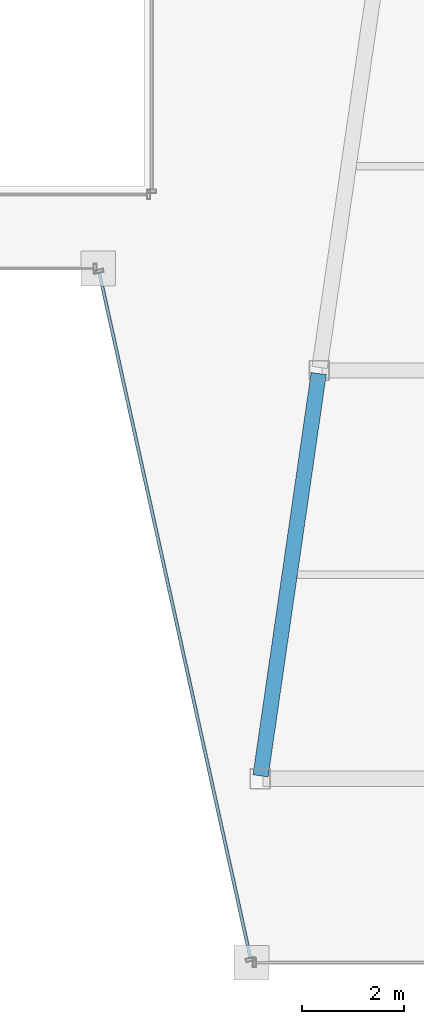
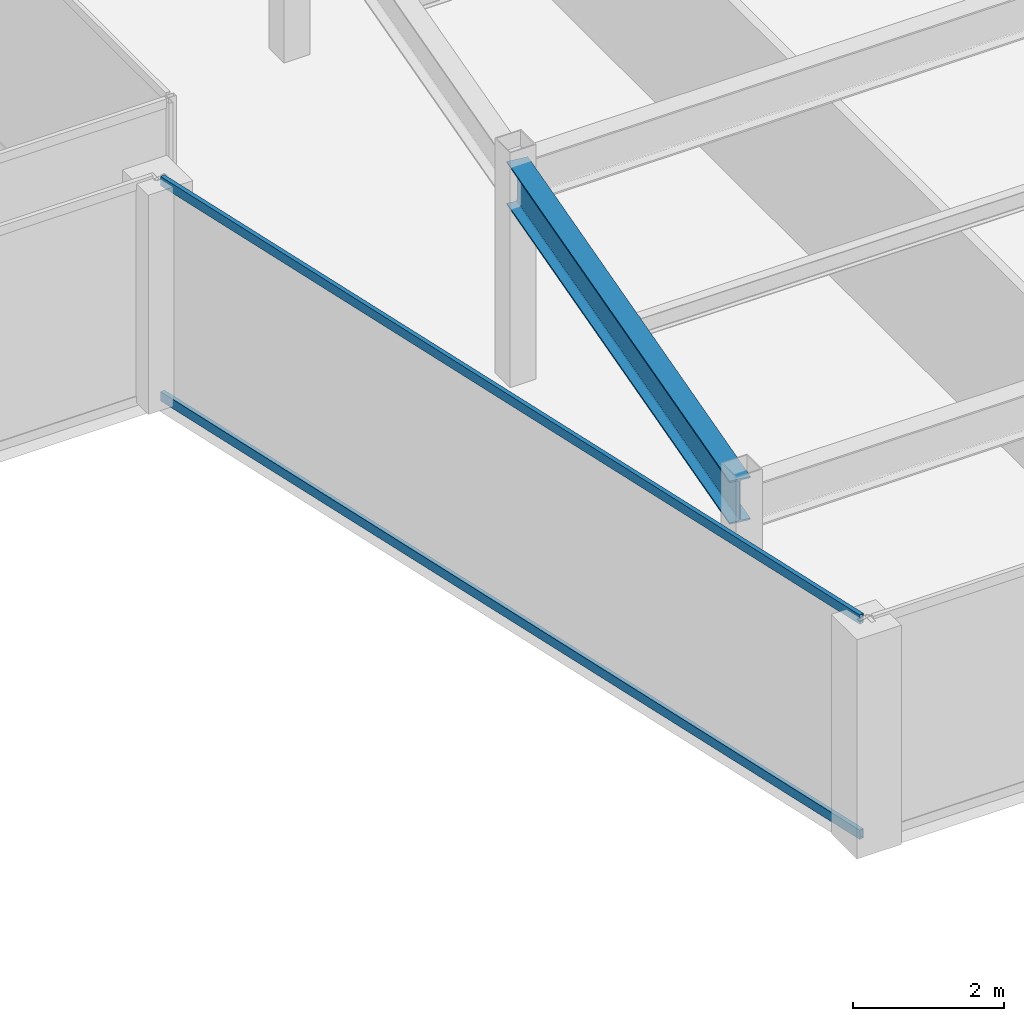
# One storey, part 17 of 35: 2 members, 1 beam, 1 element without a shape of its own.
"""IFC4 building model written with IfcOpenShell, lengths in metres."""

from ifc_helpers import new_model, si_unit, direction, frame, origin, origin_2d, place, context, subcontext, project, spatial, hollow_rectangle, i_section, extrude, material, material_profile, profile_set, type_object, element, aggregate, save


model = new_model("IFC4")

# Units and contexts
model_context = context("Model", 3, precision=1e-05, world=origin(), true_north=direction((0.0, 1.0)))
body_context = subcontext(model_context, "Body", "Model", "MODEL_VIEW")
ifc_project = project(units=[si_unit("LENGTHUNIT", "METRE"), si_unit("AREAUNIT", "SQUARE_METRE"), si_unit("VOLUMEUNIT", "CUBIC_METRE"), si_unit("PLANEANGLEUNIT", "RADIAN"), si_unit("MASSUNIT", "GRAM", prefix="KILO")], contexts=[model_context])

# Site, building, storey
site_placement = place(None, origin())
site = spatial("IfcSite", under=ifc_project, at=site_placement, CompositionType="ELEMENT")
building_placement = place(site_placement, origin())
building = spatial("IfcBuilding", under=site, at=building_placement, Name="Saevonmaru Cultural Tower", CompositionType="ELEMENT")
storey_placement = place(building_placement, frame((0.0, 0.0, 217.0)))
storey = spatial("IfcBuildingStorey", under=building, at=storey_placement, Name="L50", CompositionType="ELEMENT", Elevation=217.0)

# Beam
ifc_material_1 = material(Name="Steel SM355", Category="steel")
ifc_material_profile_1 = material_profile(ifc_material_1, i_section(OverallWidth=0.300048828125, OverallDepth=0.699951171875, WebThickness=0.012939453125, FlangeThickness=0.02392578125, FilletRadius=0.02587890625, at=origin_2d()), Name="H-700x300x13x24")
ifc_profile_set_1 = profile_set([ifc_material_profile_1], Name="Steel SM355")
beam_type = type_object("IfcBeamType", Name="BM-G-H700", PredefinedType="BEAM", material=ifc_profile_set_1)
beam_placement = place(storey_placement, frame((38.08056640625, 16.059326171875, 3.199951171875), z_axis=(0.143022161059, 0.989719486241, 0.0), x_axis=(-0.989719486241, 0.143022161059, 0.0)))
element("IfcBeam", 1, at=beam_placement, inside=storey, type_object=beam_type, Name="L50 East Atrium Girder 1", PredefinedType="BEAM", context=body_context, shape_type="SweptSolid", body=[
    extrude(i_section(OverallWidth=0.300048828125, OverallDepth=0.699951171875, WebThickness=0.012939453125, FlangeThickness=0.02392578125, FilletRadius=0.02587890625, at=origin_2d()), origin(), (0.0, 0.0, 1.0), 7.963134765625),
])

# Curtain wall, members
ifc_material_2 = material(Name="Satin Bronze Anodised Aluminium", Category="aluminium")
curtain_wall_type = type_object("IfcCurtainWallType", Name="CW-TYP-B", PredefinedType="NOTDEFINED", material=ifc_material_2)
curtain_wall_placement = place(storey_placement, origin())
curtain_wall = element("IfcCurtainWall", 2, at=curtain_wall_placement, inside=storey, type_object=curtain_wall_type, Name="L50 Unitised Curtain Wall E5", PredefinedType="NOTDEFINED")
ifc_material_profile_2 = material_profile(ifc_material_2, hollow_rectangle(XDim=0.06494140625, YDim=0.14990234375, WallThickness=0.00390625, at=origin_2d()), Name="ALU-TRAN-150x65x4")
ifc_profile_set_2 = profile_set([ifc_material_profile_2], Name="Satin Bronze Anodised Aluminium")
member_type = type_object("IfcMemberType", Name="TR-CW-150x65", PredefinedType="USERDEFINED", material=ifc_profile_set_2)
member_1_placement = place(storey_placement, frame((34.922119140625, 25.90966796875, 0.032470703125), z_axis=(0.21541214732, -0.976523223885, 0.0), x_axis=(0.976523223885, 0.21541214732, 0.0)))
member_1 = element("IfcMember", 3, at=member_1_placement, type_object=member_type, Name="CW-TW-L50-E5 transom 1.1", ObjectType="TRANSOM", PredefinedType="USERDEFINED", context=body_context, shape_type="SweptSolid", body=[
    extrude(hollow_rectangle(XDim=0.06494140625, YDim=0.14990234375, WallThickness=0.00390625, at=origin_2d()), origin(), (0.0, 0.0, 1.0), 13.741943359375),
])
member_2_placement = place(storey_placement, frame((34.922119140625, 25.90966796875, 3.517578125), z_axis=(0.21541214732, -0.976523223885, 0.0), x_axis=(0.976523223885, 0.21541214732, 0.0)))
member_2 = element("IfcMember", 4, at=member_2_placement, type_object=member_type, Name="CW-TW-L50-E5 transom 1.2", ObjectType="TRANSOM", PredefinedType="USERDEFINED", context=body_context, shape_type="SweptSolid", body=[
    extrude(hollow_rectangle(XDim=0.06494140625, YDim=0.14990234375, WallThickness=0.00390625, at=origin_2d()), origin(), (0.0, 0.0, 1.0), 13.741943359375),
])
aggregate(curtain_wall, [member_1, member_2])

save(model, "model.ifc")
